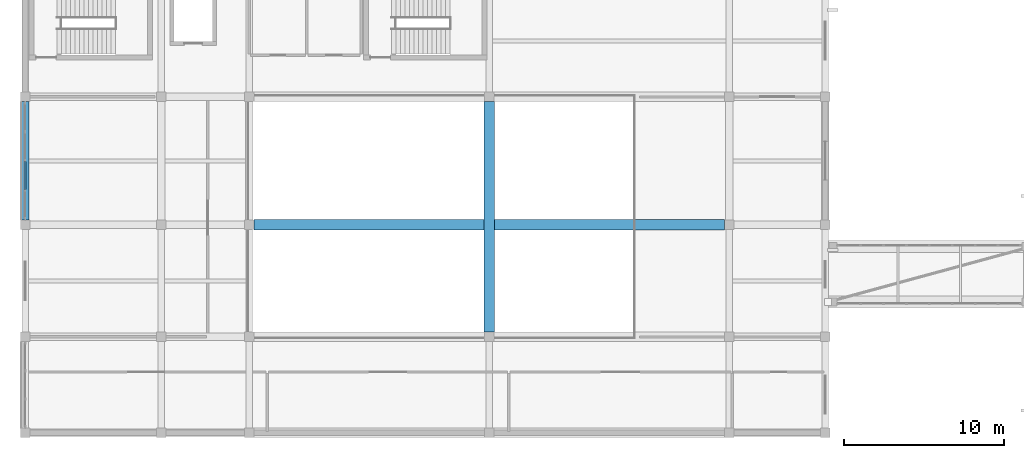
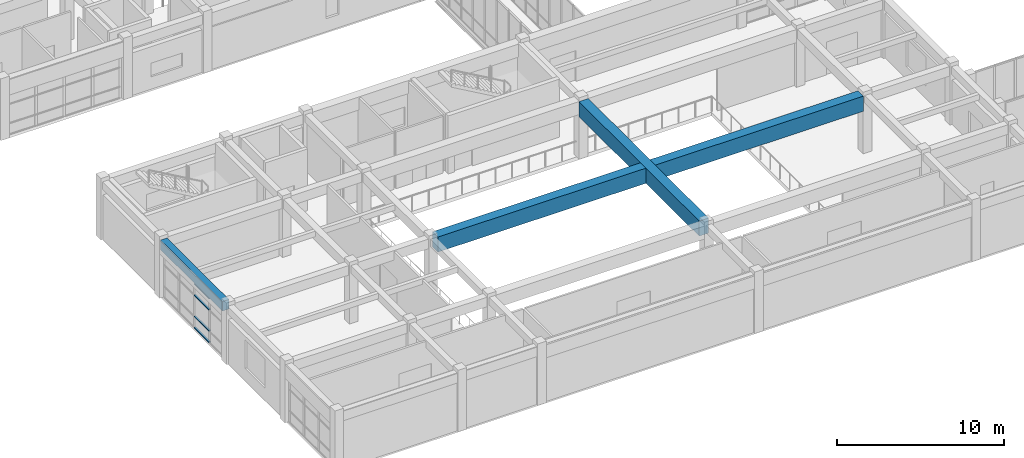
# One storey, part 4 of 72: 4 members, 3 beams, 1 element without a shape of its own.
"""IFC4 building model written with IfcOpenShell, lengths in metres."""

from ifc_helpers import new_model, si_unit, direction, frame, origin, origin_2d, place, context, subcontext, project, spatial, rectangle, extrude, material, layer, layer_set, material_profile, profile_set, type_object, element, aggregate, save


model = new_model("IFC4")

# Units and contexts
model_context = context("Model", 3, precision=1e-05, world=origin(), true_north=direction((0.0, 1.0)))
body_context = subcontext(model_context, "Body", "Model", "MODEL_VIEW")
ifc_project = project(units=[si_unit("LENGTHUNIT", "METRE"), si_unit("AREAUNIT", "SQUARE_METRE"), si_unit("VOLUMEUNIT", "CUBIC_METRE"), si_unit("PLANEANGLEUNIT", "RADIAN"), si_unit("MASSUNIT", "GRAM", prefix="KILO")], contexts=[model_context])

# Site, building, storey
site_placement = place(None, origin())
site = spatial("IfcSite", under=ifc_project, at=site_placement, CompositionType="ELEMENT")
building_placement = place(site_placement, origin())
building = spatial("IfcBuilding", under=site, at=building_placement, Name="Naurynzar Civic Courthouse", CompositionType="ELEMENT")
storey_placement = place(building_placement, frame((0.0, 0.0, 9.89990234375)))
storey = spatial("IfcBuildingStorey", under=building, at=storey_placement, Name="L03", CompositionType="ELEMENT", Elevation=9.89990234375)

# Beams
ifc_material_1 = material(Name="Concrete C40/50", Category="concrete")
ifc_material_profile_1 = material_profile(ifc_material_1, rectangle(XDim=0.64990234375, YDim=1.10009765625, at=origin_2d()), Name="PTB 650x1100")
ifc_profile_set_1 = profile_set([ifc_material_profile_1], Name="Concrete C40/50")
beam_type_1 = type_object("IfcBeamType", Name="BM-PT-650x1100", PredefinedType="T_BEAM", material=ifc_profile_set_1)
beam_1_placement = place(storey_placement, frame((20.300048828125, 17.0, 3.68017578125), z_axis=(1.0, 0.0, 0.0), x_axis=(0.0, 1.0, 0.0)))
element("IfcBeam", 1, at=beam_1_placement, inside=storey, type_object=beam_type_1, Name="V4 beam X-1868 L03", PredefinedType="T_BEAM", context=body_context, shape_type="SweptSolid", body=[
    extrude(rectangle(XDim=0.64990234375, YDim=1.10009765625, at=origin_2d()), origin(), (0.0, 0.0, 1.0), 29.39990234375),
])
beam_2_placement = place(storey_placement, frame((35.0, 10.300048828125, 3.68017578125), z_axis=(0.0, 1.0, 0.0), x_axis=(-1.0, 0.0, 0.0)))
element("IfcBeam", 2, at=beam_2_placement, inside=storey, type_object=beam_type_1, Name="V4 girder Y-1893 L03", PredefinedType="T_BEAM", context=body_context, shape_type="SweptSolid", body=[
    extrude(rectangle(XDim=0.64990234375, YDim=1.10009765625, at=origin_2d()), origin(), (0.0, 0.0, 1.0), 14.39990234375),
])
ifc_material_2 = material(Name="Concrete C40/50", Category="concrete")
ifc_material_profile_2 = material_profile(ifc_material_2, rectangle(XDim=0.449951171875, YDim=0.699951171875, at=origin_2d()), Name="RCB 450x700")
ifc_profile_set_2 = profile_set([ifc_material_profile_2], Name="Concrete C40/50")
beam_type_2 = type_object("IfcBeamType", Name="BM-RC-450x700", PredefinedType="BEAM", material=ifc_profile_set_2)
beam_3_placement = place(storey_placement, frame((6.0, 17.300048828125, 3.880126953125), z_axis=(0.0, 1.0, 0.0), x_axis=(-1.0, 0.0, 0.0)))
element("IfcBeam", 3, at=beam_3_placement, inside=storey, type_object=beam_type_2, Name="V4 girder Y-1882 L03", PredefinedType="BEAM", context=body_context, shape_type="SweptSolid", body=[
    extrude(rectangle(XDim=0.449951171875, YDim=0.699951171875, at=origin_2d()), origin(), (0.0, 0.0, 1.0), 7.39990234375),
])

# Curtain wall, members
ifc_material_3 = material(Name="Aluminium 6063-T6", Category="aluminium")
ifc_layer = layer(ifc_material_3, 0.159912109375)
ifc_layer_set = layer_set([ifc_layer], Name="CW-UNIT-1800")
curtain_wall_type = type_object("IfcCurtainWallType", Name="CW-UNIT-1800", PredefinedType="NOTDEFINED", material=ifc_layer_set)
curtain_wall_placement = place(storey_placement, origin())
curtain_wall = element("IfcCurtainWall", 4, at=curtain_wall_placement, inside=storey, type_object=curtain_wall_type, Name="V4 unitised curtain wall 78 L03", PredefinedType="NOTDEFINED")
ifc_material_4 = material(Name="Aluminium 6063-T6", Category="aluminium")
ifc_material_profile_3 = material_profile(ifc_material_4, rectangle(XDim=0.1298828125, YDim=0.070068359375, at=origin_2d()), Name="ALU TRANSOM 70x130")
ifc_profile_set_3 = profile_set([ifc_material_profile_3], Name="Aluminium 6063-T6")
member_type = type_object("IfcMemberType", Name="CWT-70x130", PredefinedType="USERDEFINED", material=ifc_profile_set_3)
member_1_placement = place(storey_placement, frame((6.0, 19.2099609375, 0.03515625), z_axis=(0.0, 1.0, 0.0), x_axis=(-1.0, 0.0, 0.0)))
member_1 = element("IfcMember", 5, at=member_1_placement, type_object=member_type, Name="CW-02 transom 2.1", ObjectType="TRANSOM", PredefinedType="USERDEFINED", context=body_context, shape_type="SweptSolid", body=[
    extrude(rectangle(XDim=0.1298828125, YDim=0.070068359375, at=origin_2d()), origin(), (0.0, 0.0, 1.0), 1.755126953125),
])
member_2_placement = place(storey_placement, frame((6.0, 19.2099609375, 0.85009765625), z_axis=(0.0, 1.0, 0.0), x_axis=(-1.0, 0.0, 0.0)))
member_2 = element("IfcMember", 6, at=member_2_placement, type_object=member_type, Name="CW-02 transom 2.2", ObjectType="TRANSOM", PredefinedType="USERDEFINED", context=body_context, shape_type="SweptSolid", body=[
    extrude(rectangle(XDim=0.1298828125, YDim=0.070068359375, at=origin_2d()), origin(), (0.0, 0.0, 1.0), 1.755126953125),
])
member_3_placement = place(storey_placement, frame((6.0, 19.2099609375, 2.41015625), z_axis=(0.0, 1.0, 0.0), x_axis=(-1.0, 0.0, 0.0)))
member_3 = element("IfcMember", 7, at=member_3_placement, type_object=member_type, Name="CW-02 transom 2.3", ObjectType="TRANSOM", PredefinedType="USERDEFINED", context=body_context, shape_type="SweptSolid", body=[
    extrude(rectangle(XDim=0.1298828125, YDim=0.070068359375, at=origin_2d()), origin(), (0.0, 0.0, 1.0), 1.755126953125),
])
member_4_placement = place(storey_placement, frame((6.0, 19.2099609375, 3.22509765625), z_axis=(0.0, 1.0, 0.0), x_axis=(-1.0, 0.0, 0.0)))
member_4 = element("IfcMember", 8, at=member_4_placement, type_object=member_type, Name="CW-02 transom 2.4", ObjectType="TRANSOM", PredefinedType="USERDEFINED", context=body_context, shape_type="SweptSolid", body=[
    extrude(rectangle(XDim=0.1298828125, YDim=0.070068359375, at=origin_2d()), origin(), (0.0, 0.0, 1.0), 1.755126953125),
])
aggregate(curtain_wall, [member_1, member_2, member_3, member_4])

save(model, "model.ifc")
